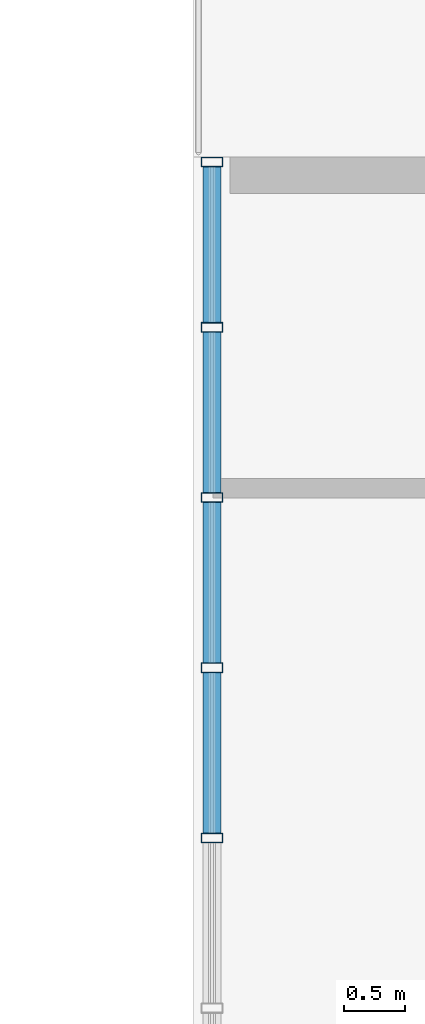
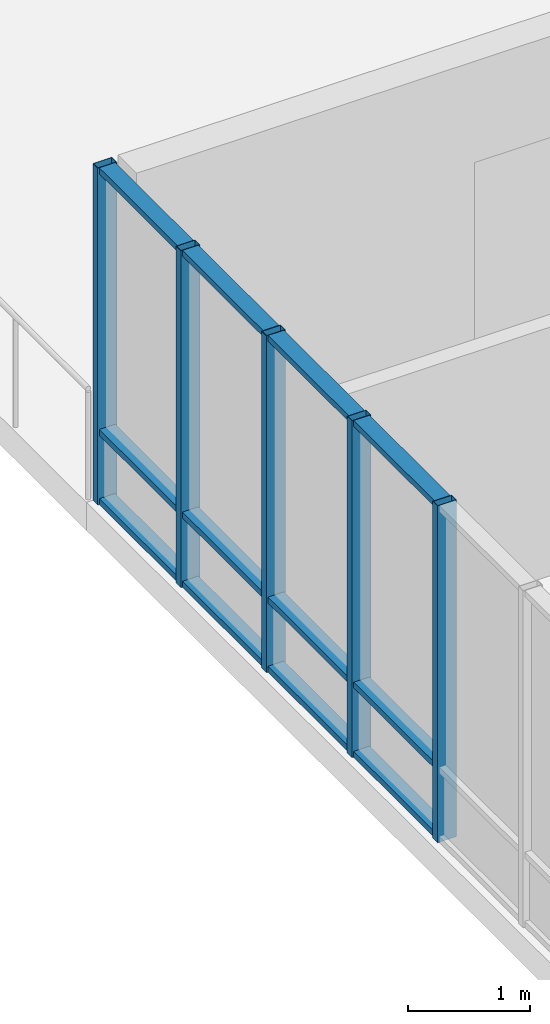
# One storey, part 98 of 144: 17 members, 1 element without a shape of its own.
"""IFC4 building model written with IfcOpenShell, lengths in metres."""

from ifc_helpers import new_model, si_unit, direction, frame, origin, origin_2d, place, context, subcontext, project, spatial, hollow_rectangle, extrude, material, layer, layer_set, material_profile, profile_set, type_object, element, aggregate, save


model = new_model("IFC4")

# Units and contexts
model_context = context("Model", 3, precision=1e-05, world=origin(), true_north=direction((0.0, 1.0)))
body_context = subcontext(model_context, "Body", "Model", "MODEL_VIEW")
ifc_project = project(units=[si_unit("LENGTHUNIT", "METRE"), si_unit("AREAUNIT", "SQUARE_METRE"), si_unit("VOLUMEUNIT", "CUBIC_METRE"), si_unit("PLANEANGLEUNIT", "RADIAN"), si_unit("MASSUNIT", "GRAM", prefix="KILO")], contexts=[model_context])

# Site, building, storey
site_placement = place(None, origin())
site = spatial("IfcSite", under=ifc_project, at=site_placement, CompositionType="ELEMENT")
building_placement = place(site_placement, origin())
building = spatial("IfcBuilding", under=site, at=building_placement, Name="Zayran Congress Hotel", CompositionType="ELEMENT")
storey_placement = place(building_placement, frame((0.0, 0.0, 19.199951171875)))
storey = spatial("IfcBuildingStorey", under=building, at=storey_placement, Name="L04", CompositionType="ELEMENT", Elevation=19.199951171875)

# Curtain wall, members
ifc_material_1 = material(Name="Anodised aluminium and low-E insulated glass", Category="aluminium")
ifc_layer = layer(ifc_material_1, 0.179931640625)
ifc_layer_set = layer_set([ifc_layer], Name="Anodised aluminium and low-E insulated glass")
curtain_wall_type = type_object("IfcCurtainWallType", Name="CW-V4W-L04-CW-52-8395-3360", PredefinedType="USERDEFINED", material=ifc_layer_set)
curtain_wall_placement = place(storey_placement, origin())
curtain_wall = element("IfcCurtainWall", 1, at=curtain_wall_placement, inside=storey, type_object=curtain_wall_type, Name="CW-V4W-L04-4", ObjectType="CURTAIN WALL", PredefinedType="USERDEFINED")
ifc_material_2 = material(Name="Anodised aluminium framing", Category="aluminium")
ifc_material_profile_1 = material_profile(ifc_material_2, hollow_rectangle(XDim=0.080078125, YDim=0.179931640625, WallThickness=0.0048828125, at=origin_2d()), Name="RHS 180x80x5")
ifc_profile_set_1 = profile_set([ifc_material_profile_1], Name="Anodised aluminium framing")
member_type_1 = type_object("IfcMemberType", Name="TP-CWM-01", PredefinedType="MULLION", material=ifc_profile_set_1)
member_1_placement = place(storey_placement, frame((109.35009765625, 92.760009765625, 0.0), z_axis=(0.0, 0.0, 1.0), x_axis=(0.0, 1.0, 0.0)))
member_1 = element("IfcMember", 2, at=member_1_placement, type_object=member_type_1, Name="CW-V4W-L04-4-M00", PredefinedType="MULLION", context=body_context, shape_type="SweptSolid", body=[
    extrude(hollow_rectangle(XDim=0.080078125, YDim=0.179931640625, WallThickness=0.0048828125, at=origin_2d()), origin(), (0.0, 0.0, 1.0), 3.360107421875),
])
member_2_placement = place(storey_placement, frame((109.35009765625, 91.40087890625, 0.0), z_axis=(0.0, 0.0, 1.0), x_axis=(0.0, 1.0, 0.0)))
member_2 = element("IfcMember", 3, at=member_2_placement, type_object=member_type_1, Name="CW-V4W-L04-4-M01", PredefinedType="MULLION", context=body_context, shape_type="SweptSolid", body=[
    extrude(hollow_rectangle(XDim=0.080078125, YDim=0.179931640625, WallThickness=0.0048828125, at=origin_2d()), origin(), (0.0, 0.0, 1.0), 3.360107421875),
])
member_3_placement = place(storey_placement, frame((109.35009765625, 90.001708984375, 0.0), z_axis=(0.0, 0.0, 1.0), x_axis=(0.0, 1.0, 0.0)))
member_3 = element("IfcMember", 4, at=member_3_placement, type_object=member_type_1, Name="CW-V4W-L04-4-M02", PredefinedType="MULLION", context=body_context, shape_type="SweptSolid", body=[
    extrude(hollow_rectangle(XDim=0.080078125, YDim=0.179931640625, WallThickness=0.0048828125, at=origin_2d()), origin(), (0.0, 0.0, 1.0), 3.360107421875),
])
member_4_placement = place(storey_placement, frame((109.35009765625, 88.6025390625, 0.0), z_axis=(0.0, 0.0, 1.0), x_axis=(0.0, 1.0, 0.0)))
member_4 = element("IfcMember", 5, at=member_4_placement, type_object=member_type_1, Name="CW-V4W-L04-4-M03", PredefinedType="MULLION", context=body_context, shape_type="SweptSolid", body=[
    extrude(hollow_rectangle(XDim=0.080078125, YDim=0.179931640625, WallThickness=0.0048828125, at=origin_2d()), origin(), (0.0, 0.0, 1.0), 3.360107421875),
])
member_5_placement = place(storey_placement, frame((109.35009765625, 87.203369140625, 0.0), z_axis=(0.0, 0.0, 1.0), x_axis=(0.0, 1.0, 0.0)))
member_5 = element("IfcMember", 6, at=member_5_placement, type_object=member_type_1, Name="CW-V4W-L04-4-M04", PredefinedType="MULLION", context=body_context, shape_type="SweptSolid", body=[
    extrude(hollow_rectangle(XDim=0.080078125, YDim=0.179931640625, WallThickness=0.0048828125, at=origin_2d()), origin(), (0.0, 0.0, 1.0), 3.360107421875),
])
ifc_material_profile_2 = material_profile(ifc_material_2, hollow_rectangle(XDim=0.06005859375, YDim=0.14990234375, WallThickness=0.00390625, at=origin_2d()), Name="RHS 150x60x4")
ifc_profile_set_2 = profile_set([ifc_material_profile_2], Name="Anodised aluminium framing")
member_type_2 = type_object("IfcMemberType", Name="TP-CWT-01", PredefinedType="USERDEFINED", material=ifc_profile_set_2)
member_6_placement = place(storey_placement, frame((109.35009765625, 92.719970703125, 0.030029296875), z_axis=(0.0, -1.0, 0.0), x_axis=(0.0, 0.0, 1.0)))
member_6 = element("IfcMember", 7, at=member_6_placement, type_object=member_type_2, Name="CW-V4W-L04-4-T00-0", ObjectType="TRANSOM", PredefinedType="USERDEFINED", context=body_context, shape_type="SweptSolid", body=[
    extrude(hollow_rectangle(XDim=0.06005859375, YDim=0.14990234375, WallThickness=0.00390625, at=origin_2d()), origin(), (0.0, 0.0, 1.0), 1.279052734375),
])
member_7_placement = place(storey_placement, frame((109.35009765625, 92.719970703125, 0.719970703125), z_axis=(0.0, -1.0, 0.0), x_axis=(0.0, 0.0, 1.0)))
member_7 = element("IfcMember", 8, at=member_7_placement, type_object=member_type_2, Name="CW-V4W-L04-4-T00-1", ObjectType="TRANSOM", PredefinedType="USERDEFINED", context=body_context, shape_type="SweptSolid", body=[
    extrude(hollow_rectangle(XDim=0.06005859375, YDim=0.14990234375, WallThickness=0.00390625, at=origin_2d()), origin(), (0.0, 0.0, 1.0), 1.279052734375),
])
member_8_placement = place(storey_placement, frame((109.35009765625, 92.719970703125, 3.330078125), z_axis=(0.0, -1.0, 0.0), x_axis=(0.0, 0.0, 1.0)))
member_8 = element("IfcMember", 9, at=member_8_placement, type_object=member_type_2, Name="CW-V4W-L04-4-T00-2", ObjectType="TRANSOM", PredefinedType="USERDEFINED", context=body_context, shape_type="SweptSolid", body=[
    extrude(hollow_rectangle(XDim=0.06005859375, YDim=0.14990234375, WallThickness=0.00390625, at=origin_2d()), origin(), (0.0, 0.0, 1.0), 1.279052734375),
])
member_9_placement = place(storey_placement, frame((109.35009765625, 91.36083984375, 0.030029296875), z_axis=(0.0, -1.0, 0.0), x_axis=(0.0, 0.0, 1.0)))
member_9 = element("IfcMember", 10, at=member_9_placement, type_object=member_type_2, Name="CW-V4W-L04-4-T01-0", ObjectType="TRANSOM", PredefinedType="USERDEFINED", context=body_context, shape_type="SweptSolid", body=[
    extrude(hollow_rectangle(XDim=0.06005859375, YDim=0.14990234375, WallThickness=0.00390625, at=origin_2d()), origin(), (0.0, 0.0, 1.0), 1.319091796875),
])
member_10_placement = place(storey_placement, frame((109.35009765625, 91.36083984375, 0.719970703125), z_axis=(0.0, -1.0, 0.0), x_axis=(0.0, 0.0, 1.0)))
member_10 = element("IfcMember", 11, at=member_10_placement, type_object=member_type_2, Name="CW-V4W-L04-4-T01-1", ObjectType="TRANSOM", PredefinedType="USERDEFINED", context=body_context, shape_type="SweptSolid", body=[
    extrude(hollow_rectangle(XDim=0.06005859375, YDim=0.14990234375, WallThickness=0.00390625, at=origin_2d()), origin(), (0.0, 0.0, 1.0), 1.319091796875),
])
member_11_placement = place(storey_placement, frame((109.35009765625, 91.36083984375, 3.330078125), z_axis=(0.0, -1.0, 0.0), x_axis=(0.0, 0.0, 1.0)))
member_11 = element("IfcMember", 12, at=member_11_placement, type_object=member_type_2, Name="CW-V4W-L04-4-T01-2", ObjectType="TRANSOM", PredefinedType="USERDEFINED", context=body_context, shape_type="SweptSolid", body=[
    extrude(hollow_rectangle(XDim=0.06005859375, YDim=0.14990234375, WallThickness=0.00390625, at=origin_2d()), origin(), (0.0, 0.0, 1.0), 1.319091796875),
])
member_12_placement = place(storey_placement, frame((109.35009765625, 89.961669921875, 0.030029296875), z_axis=(0.0, -1.0, 0.0), x_axis=(0.0, 0.0, 1.0)))
member_12 = element("IfcMember", 13, at=member_12_placement, type_object=member_type_2, Name="CW-V4W-L04-4-T02-0", ObjectType="TRANSOM", PredefinedType="USERDEFINED", context=body_context, shape_type="SweptSolid", body=[
    extrude(hollow_rectangle(XDim=0.06005859375, YDim=0.14990234375, WallThickness=0.00390625, at=origin_2d()), origin(), (0.0, 0.0, 1.0), 1.319091796875),
])
member_13_placement = place(storey_placement, frame((109.35009765625, 89.961669921875, 0.719970703125), z_axis=(0.0, -1.0, 0.0), x_axis=(0.0, 0.0, 1.0)))
member_13 = element("IfcMember", 14, at=member_13_placement, type_object=member_type_2, Name="CW-V4W-L04-4-T02-1", ObjectType="TRANSOM", PredefinedType="USERDEFINED", context=body_context, shape_type="SweptSolid", body=[
    extrude(hollow_rectangle(XDim=0.06005859375, YDim=0.14990234375, WallThickness=0.00390625, at=origin_2d()), origin(), (0.0, 0.0, 1.0), 1.319091796875),
])
member_14_placement = place(storey_placement, frame((109.35009765625, 89.961669921875, 3.330078125), z_axis=(0.0, -1.0, 0.0), x_axis=(0.0, 0.0, 1.0)))
member_14 = element("IfcMember", 15, at=member_14_placement, type_object=member_type_2, Name="CW-V4W-L04-4-T02-2", ObjectType="TRANSOM", PredefinedType="USERDEFINED", context=body_context, shape_type="SweptSolid", body=[
    extrude(hollow_rectangle(XDim=0.06005859375, YDim=0.14990234375, WallThickness=0.00390625, at=origin_2d()), origin(), (0.0, 0.0, 1.0), 1.319091796875),
])
member_15_placement = place(storey_placement, frame((109.35009765625, 88.5625, 0.030029296875), z_axis=(0.0, -1.0, 0.0), x_axis=(0.0, 0.0, 1.0)))
member_15 = element("IfcMember", 16, at=member_15_placement, type_object=member_type_2, Name="CW-V4W-L04-4-T03-0", ObjectType="TRANSOM", PredefinedType="USERDEFINED", context=body_context, shape_type="SweptSolid", body=[
    extrude(hollow_rectangle(XDim=0.06005859375, YDim=0.14990234375, WallThickness=0.00390625, at=origin_2d()), origin(), (0.0, 0.0, 1.0), 1.319091796875),
])
member_16_placement = place(storey_placement, frame((109.35009765625, 88.5625, 0.719970703125), z_axis=(0.0, -1.0, 0.0), x_axis=(0.0, 0.0, 1.0)))
member_16 = element("IfcMember", 17, at=member_16_placement, type_object=member_type_2, Name="CW-V4W-L04-4-T03-1", ObjectType="TRANSOM", PredefinedType="USERDEFINED", context=body_context, shape_type="SweptSolid", body=[
    extrude(hollow_rectangle(XDim=0.06005859375, YDim=0.14990234375, WallThickness=0.00390625, at=origin_2d()), origin(), (0.0, 0.0, 1.0), 1.319091796875),
])
member_17_placement = place(storey_placement, frame((109.35009765625, 88.5625, 3.330078125), z_axis=(0.0, -1.0, 0.0), x_axis=(0.0, 0.0, 1.0)))
member_17 = element("IfcMember", 18, at=member_17_placement, type_object=member_type_2, Name="CW-V4W-L04-4-T03-2", ObjectType="TRANSOM", PredefinedType="USERDEFINED", context=body_context, shape_type="SweptSolid", body=[
    extrude(hollow_rectangle(XDim=0.06005859375, YDim=0.14990234375, WallThickness=0.00390625, at=origin_2d()), origin(), (0.0, 0.0, 1.0), 1.319091796875),
])
aggregate(curtain_wall, [member_1, member_2, member_3, member_4, member_5, member_6, member_7, member_8, member_9, member_10, member_11, member_12, member_13, member_14, member_15, member_16, member_17])

save(model, "model.ifc")
